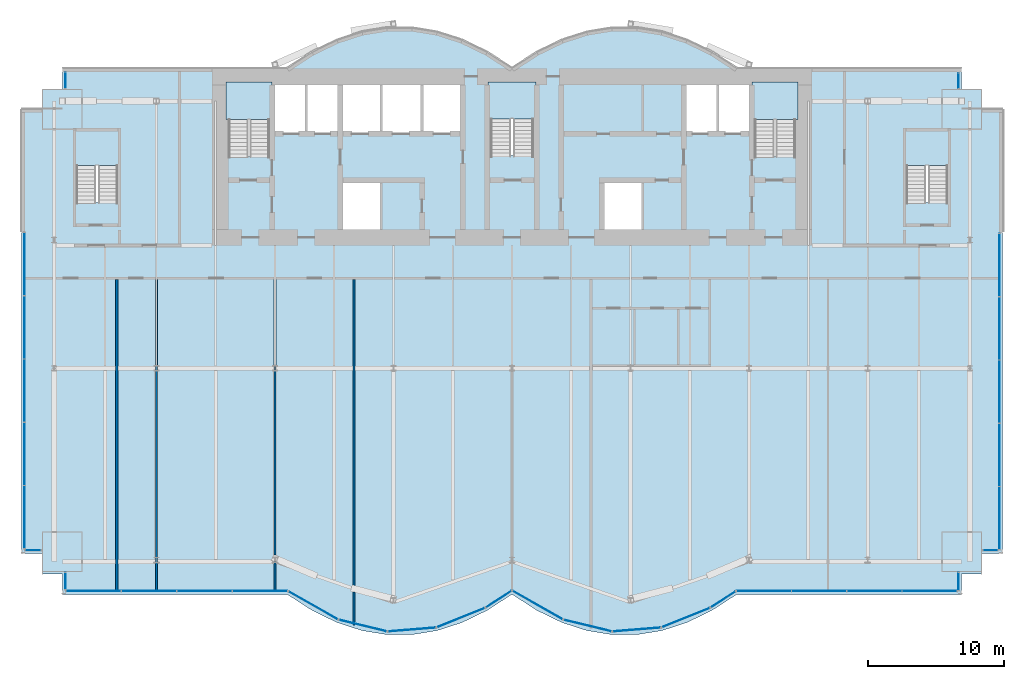
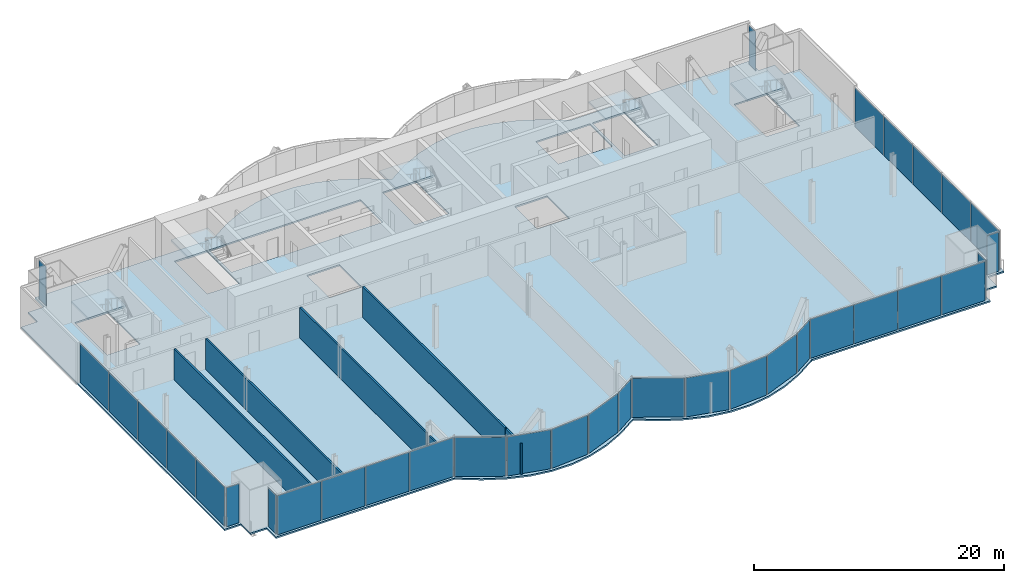
# One storey, part 14 of 21: 34 plates, 6 slabs, 6 walls, 17 elements without a shape of their own.
"""IFC4 building model written with IfcOpenShell, lengths in metres."""

from ifc_helpers import new_model, si_unit, direction, frame, frame_2d, origin, origin_2d, place, context, subcontext, project, spatial, polyline, rectangle, outline, extrude, material, layer, layer_set, type_object, element, aggregate, save


model = new_model("IFC4")

# Units and contexts
model_context = context("Model", 3, precision=1e-05, world=origin(), true_north=direction((0.0, 1.0)))
body_context = subcontext(model_context, "Body", "Model", "MODEL_VIEW")
ifc_project = project(units=[si_unit("LENGTHUNIT", "METRE"), si_unit("AREAUNIT", "SQUARE_METRE"), si_unit("VOLUMEUNIT", "CUBIC_METRE"), si_unit("PLANEANGLEUNIT", "RADIAN"), si_unit("MASSUNIT", "GRAM", prefix="KILO")], contexts=[model_context])

# Site, building, storey
site_placement = place(None, origin())
site = spatial("IfcSite", under=ifc_project, at=site_placement, CompositionType="ELEMENT")
building_placement = place(site_placement, origin())
building = spatial("IfcBuilding", under=site, at=building_placement, Name="Bicima Exchange Tower", CompositionType="ELEMENT")
storey_placement = place(building_placement, frame((0.0, 0.0, 98.10009765625)))
storey = spatial("IfcBuildingStorey", under=building, at=storey_placement, Name="L20", CompositionType="ELEMENT", Elevation=98.10009765625)

# Slab
ifc_material_1 = material(Name="Concrete C40/50", Category="concrete")
ifc_layer_1 = layer(ifc_material_1, 0.14990234375)
ifc_layer_set_1 = layer_set([ifc_layer_1], Name="Concrete C40/50")
slab_type_1 = type_object("IfcSlabType", Name="Composite floor slab 150", PredefinedType="FLOOR", material=ifc_layer_set_1)
slab_1_placement = place(storey_placement, frame((0.0, 0.0, -0.150146484375)))
element("IfcSlab", 1, at=slab_1_placement, inside=storey, type_object=slab_type_1, Name="Floor slab", PredefinedType="FLOOR", context=body_context, shape_type="SweptSolid", body=[
    extrude(outline(polyline([(-36.0, -35.583984375), (-36.0, -3.0), (-34.5, -3.0), (-34.5, -1.5), (-33.0, -1.5), (-33.0, 0.0), (-16.5, 0.0), (-14.666748046875, 1.185302734375), (-12.833251953125, 2.07421875), (-11.0, 2.666748046875), (-9.166748046875, 2.962890625), (-7.333251953125, 2.962890625), (-5.5, 2.666748046875), (-3.666748046875, 2.07421875), (-1.833251953125, 1.185302734375), (0.0, 0.0), (1.833251953125, 1.185302734375), (3.666748046875, 2.07421875), (5.5, 2.666748046875), (7.333251953125, 2.962890625), (9.166748046875, 2.962890625), (11.0, 2.666748046875), (12.833251953125, 2.07421875), (14.666748046875, 1.185302734375), (16.5, 0.0), (33.0, 0.0), (33.0, -1.5), (34.5, -1.5), (34.5, -3.0), (36.0, -3.0), (36.0, -35.583984375), (34.5, -35.583984375), (34.5, -37.083984375), (33.0, -37.083984375), (33.0, -38.583984375), (16.5, -38.583984375), (14.666748046875, -39.769287109375), (12.833251953125, -40.658203125), (11.0, -41.250732421875), (9.166748046875, -41.547119140625), (7.333251953125, -41.547119140625), (5.5, -41.250732421875), (3.666748046875, -40.658203125), (1.833251953125, -39.769287109375), (0.0, -38.583984375), (-1.833251953125, -39.769287109375), (-3.666748046875, -40.658203125), (-5.5, -41.250732421875), (-7.333251953125, -41.547119140625), (-9.166748046875, -41.547119140625), (-11.0, -41.250732421875), (-12.833251953125, -40.658203125), (-14.666748046875, -39.769287109375), (-16.5, -38.583984375), (-33.0, -38.583984375), (-33.0, -37.083984375), (-34.5, -37.083984375), (-34.5, -35.583984375), (-36.0, -35.583984375)]), holes=[polyline([(-9.60009765625, -11.800048828125), (-9.60009765625, -8.199951171875), (-12.60009765625, -8.199951171875), (-12.60009765625, -11.800048828125), (-9.60009765625, -11.800048828125)]), polyline([(-31.97509765625, -9.824951171875), (-28.925048828125, -9.824951171875), (-28.925048828125, -4.625), (-31.97509765625, -4.625), (-31.97509765625, -9.824951171875)]), polyline([(-20.800048828125, -6.449951171875), (-17.800048828125, -6.449951171875), (-17.800048828125, -1.199951171875), (-20.800048828125, -1.199951171875), (-20.800048828125, -6.449951171875)]), polyline([(-9.60009765625, -1.199951171875), (-12.60009765625, -1.199951171875), (-15.10009765625, -1.199951171875), (-17.60009765625, -1.199951171875), (-17.60009765625, -4.800048828125), (-15.10009765625, -4.800048828125), (-12.60009765625, -4.800048828125), (-9.60009765625, -4.800048828125), (-6.60009765625, -4.800048828125), (-3.60009765625, -4.800048828125), (-3.60009765625, -1.199951171875), (-6.60009765625, -1.199951171875), (-9.60009765625, -1.199951171875)]), polyline([(9.60009765625, -11.800048828125), (9.60009765625, -8.199951171875), (6.60009765625, -8.199951171875), (6.60009765625, -11.800048828125), (9.60009765625, -11.800048828125)]), polyline([(28.925048828125, -9.824951171875), (31.97509765625, -9.824951171875), (31.97509765625, -4.625), (28.925048828125, -4.625), (28.925048828125, -9.824951171875)]), polyline([(17.800048828125, -6.449951171875), (20.800048828125, -6.449951171875), (20.800048828125, -1.199951171875), (17.800048828125, -1.199951171875), (17.800048828125, -6.449951171875)]), polyline([(-1.574951171875, -6.39990234375), (1.574951171875, -6.39990234375), (1.574951171875, -1.199951171875), (-1.574951171875, -1.199951171875), (-1.574951171875, -6.39990234375)]), polyline([(17.60009765625, -4.800048828125), (17.60009765625, -1.199951171875), (15.10009765625, -1.199951171875), (12.60009765625, -1.199951171875), (12.60009765625, -4.800048828125), (15.10009765625, -4.800048828125), (17.60009765625, -4.800048828125)])]), origin(), (0.0, 0.0, 1.0), 0.150146484375),
])

# Curtain wall, plates
ifc_material_2 = material(Name="Anodised bronze aluminium", Category="aluminium")
curtain_wall_type_1 = type_object("IfcCurtainWallType", Name="End face glass wall", PredefinedType="NOTDEFINED", material=ifc_material_2)
curtain_wall_1_placement = place(storey_placement, origin())
curtain_wall_1 = element("IfcCurtainWall", 2, at=curtain_wall_1_placement, inside=storey, type_object=curtain_wall_type_1, Name="End face glass wall L20 run 2", PredefinedType="NOTDEFINED")
ifc_material_3 = material(Name="Bronze tinted glass", Category="glass")
ifc_layer_2 = layer(ifc_material_3, 0.031982421875)
ifc_layer_set_2 = layer_set([ifc_layer_2], Name="Bronze tinted glass")
plate_type_1 = type_object("IfcPlateType", Name="End face glass wall glass panel 32", PredefinedType="CURTAIN_PANEL", material=ifc_layer_set_2)
plate_1_placement = place(storey_placement, frame((-35.77001953125, -14.351318359375, -0.000244140625), z_axis=(0.0, 0.0, 1.0), x_axis=(0.0, -1.0, 0.0)))
plate_1 = element("IfcPlate", 3, at=plate_1_placement, type_object=plate_type_1, Name="End face glass wall panel 1.1", PredefinedType="CURTAIN_PANEL", context=body_context, shape_type="SweptSolid", body=[
    extrude(rectangle(XDim=4.582763671875, YDim=0.031982421875, at=origin_2d()), origin(), (0.0, 0.0, 1.0), 3.81005859375),
])
plate_2_placement = place(storey_placement, frame((-35.77001953125, -18.994140625, -0.000244140625), z_axis=(0.0, 0.0, 1.0), x_axis=(0.0, -1.0, 0.0)))
plate_2 = element("IfcPlate", 4, at=plate_2_placement, type_object=plate_type_1, Name="End face glass wall panel 2.1", PredefinedType="CURTAIN_PANEL", context=body_context, shape_type="SweptSolid", body=[
    extrude(rectangle(XDim=4.582763671875, YDim=0.031982421875, at=origin_2d()), origin(), (0.0, 0.0, 1.0), 3.81005859375),
])
plate_3_placement = place(storey_placement, frame((-35.77001953125, -23.636962890625, -0.000244140625), z_axis=(0.0, 0.0, 1.0), x_axis=(0.0, -1.0, 0.0)))
plate_3 = element("IfcPlate", 5, at=plate_3_placement, type_object=plate_type_1, Name="End face glass wall panel 3.1", PredefinedType="CURTAIN_PANEL", context=body_context, shape_type="SweptSolid", body=[
    extrude(rectangle(XDim=4.582763671875, YDim=0.031982421875, at=origin_2d()), origin(), (0.0, 0.0, 1.0), 3.81005859375),
])
plate_4_placement = place(storey_placement, frame((-35.77001953125, -32.922607421875, -0.000244140625), z_axis=(0.0, 0.0, 1.0), x_axis=(0.0, -1.0, 0.0)))
plate_4 = element("IfcPlate", 6, at=plate_4_placement, type_object=plate_type_1, Name="End face glass wall panel 5.1", PredefinedType="CURTAIN_PANEL", context=body_context, shape_type="SweptSolid", body=[
    extrude(rectangle(XDim=4.582763671875, YDim=0.031982421875, at=origin_2d()), origin(), (0.0, 0.0, 1.0), 3.81005859375),
])

curtain_wall_2_placement = place(storey_placement, origin())
curtain_wall_2 = element("IfcCurtainWall", 7, at=curtain_wall_2_placement, inside=storey, type_object=curtain_wall_type_1, Name="End face glass wall L20 run 19", PredefinedType="NOTDEFINED")
plate_5_placement = place(storey_placement, frame((35.77001953125, -33.002685546875, -0.000244140625), z_axis=(0.0, 0.0, 1.0), x_axis=(0.0, 1.0, 0.0)))
plate_5 = element("IfcPlate", 8, at=plate_5_placement, type_object=plate_type_1, Name="End face glass wall panel 1.1", PredefinedType="CURTAIN_PANEL", context=body_context, shape_type="SweptSolid", body=[
    extrude(rectangle(XDim=4.582763671875, YDim=0.031982421875, at=origin_2d()), origin(), (0.0, 0.0, 1.0), 3.81005859375),
])
plate_6_placement = place(storey_placement, frame((35.77001953125, -23.717041015625, -0.000244140625), z_axis=(0.0, 0.0, 1.0), x_axis=(0.0, 1.0, 0.0)))
plate_6 = element("IfcPlate", 9, at=plate_6_placement, type_object=plate_type_1, Name="End face glass wall panel 3.1", PredefinedType="CURTAIN_PANEL", context=body_context, shape_type="SweptSolid", body=[
    extrude(rectangle(XDim=4.582763671875, YDim=0.031982421875, at=origin_2d()), origin(), (0.0, 0.0, 1.0), 3.81005859375),
])
plate_7_placement = place(storey_placement, frame((35.77001953125, -19.07421875, -0.000244140625), z_axis=(0.0, 0.0, 1.0), x_axis=(0.0, 1.0, 0.0)))
plate_7 = element("IfcPlate", 10, at=plate_7_placement, type_object=plate_type_1, Name="End face glass wall panel 4.1", PredefinedType="CURTAIN_PANEL", context=body_context, shape_type="SweptSolid", body=[
    extrude(rectangle(XDim=4.582763671875, YDim=0.031982421875, at=origin_2d()), origin(), (0.0, 0.0, 1.0), 3.81005859375),
])
plate_8_placement = place(storey_placement, frame((35.77001953125, -14.431396484375, -0.000244140625), z_axis=(0.0, 0.0, 1.0), x_axis=(0.0, 1.0, 0.0)))
plate_8 = element("IfcPlate", 11, at=plate_8_placement, type_object=plate_type_1, Name="End face glass wall panel 5.1", PredefinedType="CURTAIN_PANEL", context=body_context, shape_type="SweptSolid", body=[
    extrude(rectangle(XDim=4.582763671875, YDim=0.031982421875, at=origin_2d()), origin(), (0.0, 0.0, 1.0), 3.81005859375),
])

# Plate
ifc_material_4 = material(Name="Bronze anodised aluminium", Category="aluminium")
ifc_layer_3 = layer(ifc_material_4, 0.031982421875)
ifc_layer_set_3 = layer_set([ifc_layer_3], Name="Bronze anodised aluminium")
plate_type_2 = type_object("IfcPlateType", Name="End face glass wall spandrel panel 32", PredefinedType="CURTAIN_PANEL", material=ifc_layer_set_3)
plate_9_placement = place(storey_placement, frame((-35.77001953125, -28.27978515625, -0.000244140625), z_axis=(0.0, 0.0, 1.0), x_axis=(0.0, -1.0, 0.0)))
plate_9 = element("IfcPlate", 12, at=plate_9_placement, type_object=plate_type_2, Name="End face spandrel wall panel 4.1", PredefinedType="CURTAIN_PANEL", context=body_context, shape_type="SweptSolid", body=[
    extrude(rectangle(XDim=4.582763671875, YDim=0.031982421875, at=origin_2d()), origin(), (0.0, 0.0, 1.0), 3.81005859375),
])

aggregate(curtain_wall_1, [plate_1, plate_2, plate_3, plate_9, plate_4])

plate_10_placement = place(storey_placement, frame((35.77001953125, -28.35986328125, -0.000244140625), z_axis=(0.0, 0.0, 1.0), x_axis=(0.0, 1.0, 0.0)))
plate_10 = element("IfcPlate", 13, at=plate_10_placement, type_object=plate_type_2, Name="End face spandrel wall panel 2.1", PredefinedType="CURTAIN_PANEL", context=body_context, shape_type="SweptSolid", body=[
    extrude(rectangle(XDim=4.582763671875, YDim=0.031982421875, at=origin_2d()), origin(), (0.0, 0.0, 1.0), 3.81005859375),
])

aggregate(curtain_wall_2, [plate_5, plate_10, plate_6, plate_7, plate_8])

# Curtain wall, plate
curtain_wall_type_2 = type_object("IfcCurtainWallType", Name="Front glass wall", PredefinedType="NOTDEFINED", material=ifc_material_2)
curtain_wall_3_placement = place(storey_placement, origin())
curtain_wall_3 = element("IfcCurtainWall", 14, at=curtain_wall_3_placement, inside=storey, type_object=curtain_wall_type_2, Name="Front glass wall L20 run 1", PredefinedType="NOTDEFINED")
ifc_layer_4 = layer(ifc_material_3, 0.031982421875)
ifc_layer_set_4 = layer_set([ifc_layer_4], Name="Bronze tinted glass")
plate_type_3 = type_object("IfcPlateType", Name="Front glass wall glass panel 32", PredefinedType="CURTAIN_PANEL", material=ifc_layer_set_4)
plate_11_placement = place(storey_placement, frame((-32.77001953125, -0.864990234375, -0.000244140625), z_axis=(0.0, 0.0, 1.0), x_axis=(0.0, -1.0, 0.0)))
plate_11 = element("IfcPlate", 15, at=plate_11_placement, type_object=plate_type_3, Name="Front glass wall panel 1.1", PredefinedType="CURTAIN_PANEL", context=body_context, shape_type="SweptSolid", body=[
    extrude(rectangle(XDim=1.14990234375, YDim=0.031982421875, at=origin_2d()), origin(), (0.0, 0.0, 1.0), 3.81005859375),
])
aggregate(curtain_wall_3, [plate_11])

curtain_wall_4_placement = place(storey_placement, origin())
curtain_wall_4 = element("IfcCurtainWall", 16, at=curtain_wall_4_placement, inside=storey, type_object=curtain_wall_type_2, Name="Front glass wall L20 run 3", PredefinedType="NOTDEFINED")
plate_12_placement = place(storey_placement, frame((-35.135009765625, -35.35400390625, -0.000244140625), z_axis=(0.0, 0.0, 1.0), x_axis=(1.0, 0.0, 0.0)))
plate_12 = element("IfcPlate", 17, at=plate_12_placement, type_object=plate_type_3, Name="Front glass wall panel 1.1", PredefinedType="CURTAIN_PANEL", context=body_context, shape_type="SweptSolid", body=[
    extrude(rectangle(XDim=1.14990234375, YDim=0.031982421875, at=origin_2d()), origin(), (0.0, 0.0, 1.0), 3.81005859375),
])
aggregate(curtain_wall_4, [plate_12])

curtain_wall_5_placement = place(storey_placement, origin())
curtain_wall_5 = element("IfcCurtainWall", 18, at=curtain_wall_5_placement, inside=storey, type_object=curtain_wall_type_2, Name="Front glass wall L20 run 4", PredefinedType="NOTDEFINED")
plate_13_placement = place(storey_placement, frame((-32.77001953125, -37.617919921875, -0.000244140625), z_axis=(0.0, 0.0, 1.0), x_axis=(0.0, -1.0, 0.0)))
plate_13 = element("IfcPlate", 19, at=plate_13_placement, type_object=plate_type_3, Name="Front glass wall panel 1.1", PredefinedType="CURTAIN_PANEL", context=body_context, shape_type="SweptSolid", body=[
    extrude(rectangle(XDim=1.19189453125, YDim=0.031982421875, at=origin_2d()), origin(), (0.0, 0.0, 1.0), 3.81005859375),
])
aggregate(curtain_wall_5, [plate_13])

# Curtain wall, plates
curtain_wall_6_placement = place(storey_placement, origin())
curtain_wall_6 = element("IfcCurtainWall", 20, at=curtain_wall_6_placement, inside=storey, type_object=curtain_wall_type_2, Name="Front glass wall L20 run 5", PredefinedType="NOTDEFINED")
plate_14_placement = place(storey_placement, frame((-30.705322265625, -38.35400390625, -0.000244140625), z_axis=(0.0, 0.0, 1.0), x_axis=(1.0, 0.0, 0.0)))
plate_14 = element("IfcPlate", 21, at=plate_14_placement, type_object=plate_type_3, Name="Front glass wall panel 1.1", PredefinedType="CURTAIN_PANEL", context=body_context, shape_type="SweptSolid", body=[
    extrude(rectangle(XDim=4.009521484375, YDim=0.031982421875, at=origin_2d()), origin(), (0.0, 0.0, 1.0), 3.81005859375),
])
plate_15_placement = place(storey_placement, frame((-18.496826171875, -38.35400390625, -0.000244140625), z_axis=(0.0, 0.0, 1.0), x_axis=(1.0, 0.0, 0.0)))
plate_15 = element("IfcPlate", 22, at=plate_15_placement, type_object=plate_type_3, Name="Front glass wall panel 4.1", PredefinedType="CURTAIN_PANEL", context=body_context, shape_type="SweptSolid", body=[
    extrude(rectangle(XDim=4.009521484375, YDim=0.031982421875, at=origin_2d()), origin(), (0.0, 0.0, 1.0), 3.81005859375),
])

curtain_wall_7_placement = place(storey_placement, origin())
curtain_wall_7 = element("IfcCurtainWall", 23, at=curtain_wall_7_placement, inside=storey, type_object=curtain_wall_type_2, Name="Front glass wall L20 run 6", PredefinedType="NOTDEFINED")
plate_16_placement = place(storey_placement, frame((-14.589599609375, -39.399169921875, -0.000244140625), z_axis=(0.0, 0.0, 1.0), x_axis=(0.869805110681, -0.493395449343, 0.0)))
plate_16 = element("IfcPlate", 24, at=plate_16_placement, type_object=plate_type_3, Name="Front glass wall panel 1.1", PredefinedType="CURTAIN_PANEL", context=body_context, shape_type="SweptSolid", body=[
    extrude(rectangle(XDim=4.1162109375, YDim=0.031982421875, at=origin_2d()), origin(), (0.0, 0.0, 1.0), 3.81005859375),
])
plate_17_placement = place(storey_placement, frame((-10.94775390625, -40.880615234375, -0.000244140625), z_axis=(0.0, 0.0, 1.0), x_axis=(0.971830343553, -0.235681529503, 0.0)))
plate_17 = element("IfcPlate", 25, at=plate_17_placement, type_object=plate_type_3, Name="Front glass wall panel 1.1", PredefinedType="CURTAIN_PANEL", context=body_context, shape_type="SweptSolid", body=[
    extrude(rectangle(XDim=3.583251953125, YDim=0.031982421875, at=origin_2d()), origin(), (0.0, 0.0, 1.0), 3.81005859375),
])
plate_18_placement = place(storey_placement, frame((-3.750244140625, -40.29736328125, -0.000244140625), z_axis=(0.0, 0.0, 1.0), x_axis=(0.92714396679, 0.374705304, 0.0)))
plate_18 = element("IfcPlate", 26, at=plate_18_placement, type_object=plate_type_3, Name="Front glass wall panel 1.1", PredefinedType="CURTAIN_PANEL", context=body_context, shape_type="SweptSolid", body=[
    extrude(rectangle(XDim=3.771240234375, YDim=0.031982421875, at=origin_2d()), origin(), (0.0, 0.0, 1.0), 3.81005859375),
])
plate_19_placement = place(storey_placement, frame((-0.97314453125, -38.939208984375, -0.000244140625), z_axis=(0.0, 0.0, 1.0), x_axis=(0.839798994301, 0.542897457326, 0.0)))
plate_19 = element("IfcPlate", 27, at=plate_19_placement, type_object=plate_type_3, Name="Front glass wall panel 1.1", PredefinedType="CURTAIN_PANEL", context=body_context, shape_type="SweptSolid", body=[
    extrude(rectangle(XDim=2.197509765625, YDim=0.031982421875, at=origin_2d()), origin(), (0.0, 0.0, 1.0), 3.81005859375),
])

curtain_wall_8_placement = place(storey_placement, origin())
curtain_wall_8 = element("IfcCurtainWall", 28, at=curtain_wall_8_placement, inside=storey, type_object=curtain_wall_type_2, Name="Front glass wall L20 run 11", PredefinedType="NOTDEFINED")
plate_20_placement = place(storey_placement, frame((1.876220703125, -39.377197265625, -0.000244140625), z_axis=(0.0, 0.0, 1.0), x_axis=(0.869274147378, -0.494330311331, 0.0)))
plate_20 = element("IfcPlate", 29, at=plate_20_placement, type_object=plate_type_3, Name="Front glass wall panel 1.1", PredefinedType="CURTAIN_PANEL", context=body_context, shape_type="SweptSolid", body=[
    extrude(rectangle(XDim=4.197021484375, YDim=0.031982421875, at=origin_2d()), origin(), (0.0, 0.0, 1.0), 3.81005859375),
])
plate_21_placement = place(storey_placement, frame((12.749755859375, -40.29736328125, -0.000244140625), z_axis=(0.0, 0.0, 1.0), x_axis=(0.92714396679, 0.374705304, 0.0)))
plate_21 = element("IfcPlate", 30, at=plate_21_placement, type_object=plate_type_3, Name="Front glass wall panel 1.1", PredefinedType="CURTAIN_PANEL", context=body_context, shape_type="SweptSolid", body=[
    extrude(rectangle(XDim=3.771240234375, YDim=0.031982421875, at=origin_2d()), origin(), (0.0, 0.0, 1.0), 3.81005859375),
])
plate_22_placement = place(storey_placement, frame((15.492919921875, -38.961181640625, -0.000244140625), z_axis=(0.0, 0.0, 1.0), x_axis=(0.839791413941, 0.542909183079, 0.0)))
plate_22 = element("IfcPlate", 31, at=plate_22_placement, type_object=plate_type_3, Name="Front glass wall panel 1.1", PredefinedType="CURTAIN_PANEL", context=body_context, shape_type="SweptSolid", body=[
    extrude(rectangle(XDim=2.11669921875, YDim=0.031982421875, at=origin_2d()), origin(), (0.0, 0.0, 1.0), 3.81005859375),
])

curtain_wall_9_placement = place(storey_placement, origin())
curtain_wall_9 = element("IfcCurtainWall", 32, at=curtain_wall_9_placement, inside=storey, type_object=curtain_wall_type_2, Name="Front glass wall L20 run 16", PredefinedType="NOTDEFINED")
plate_23_placement = place(storey_placement, frame((18.48681640625, -38.35400390625, -0.000244140625), z_axis=(0.0, 0.0, 1.0), x_axis=(1.0, 0.0, 0.0)))
plate_23 = element("IfcPlate", 33, at=plate_23_placement, type_object=plate_type_3, Name="Front glass wall panel 1.1", PredefinedType="CURTAIN_PANEL", context=body_context, shape_type="SweptSolid", body=[
    extrude(rectangle(XDim=3.989501953125, YDim=0.031982421875, at=origin_2d()), origin(), (0.0, 0.0, 1.0), 3.81005859375),
])
plate_24_placement = place(storey_placement, frame((22.536376953125, -38.35400390625, -0.000244140625), z_axis=(0.0, 0.0, 1.0), x_axis=(1.0, 0.0, 0.0)))
plate_24 = element("IfcPlate", 34, at=plate_24_placement, type_object=plate_type_3, Name="Front glass wall panel 2.1", PredefinedType="CURTAIN_PANEL", context=body_context, shape_type="SweptSolid", body=[
    extrude(rectangle(XDim=3.989501953125, YDim=0.031982421875, at=origin_2d()), origin(), (0.0, 0.0, 1.0), 3.81005859375),
])
plate_25_placement = place(storey_placement, frame((30.63525390625, -38.35400390625, -0.000244140625), z_axis=(0.0, 0.0, 1.0), x_axis=(1.0, 0.0, 0.0)))
plate_25 = element("IfcPlate", 35, at=plate_25_placement, type_object=plate_type_3, Name="Front glass wall panel 4.1", PredefinedType="CURTAIN_PANEL", context=body_context, shape_type="SweptSolid", body=[
    extrude(rectangle(XDim=3.989501953125, YDim=0.031982421875, at=origin_2d()), origin(), (0.0, 0.0, 1.0), 3.81005859375),
])

# Curtain wall, plate
curtain_wall_10_placement = place(storey_placement, origin())
curtain_wall_10 = element("IfcCurtainWall", 36, at=curtain_wall_10_placement, inside=storey, type_object=curtain_wall_type_2, Name="Front glass wall L20 run 17", PredefinedType="NOTDEFINED")
plate_26_placement = place(storey_placement, frame((32.77001953125, -37.657958984375, -0.000244140625), z_axis=(0.0, 0.0, 1.0), x_axis=(0.0, 1.0, 0.0)))
plate_26 = element("IfcPlate", 37, at=plate_26_placement, type_object=plate_type_3, Name="Front glass wall panel 1.1", PredefinedType="CURTAIN_PANEL", context=body_context, shape_type="SweptSolid", body=[
    extrude(rectangle(XDim=1.27197265625, YDim=0.031982421875, at=origin_2d()), origin(), (0.0, 0.0, 1.0), 3.81005859375),
])
aggregate(curtain_wall_10, [plate_26])

curtain_wall_11_placement = place(storey_placement, origin())
curtain_wall_11 = element("IfcCurtainWall", 38, at=curtain_wall_11_placement, inside=storey, type_object=curtain_wall_type_2, Name="Front glass wall L20 run 18", PredefinedType="NOTDEFINED")
plate_27_placement = place(storey_placement, frame((35.094970703125, -35.35400390625, -0.000244140625), z_axis=(0.0, 0.0, 1.0), x_axis=(1.0, 0.0, 0.0)))
plate_27 = element("IfcPlate", 39, at=plate_27_placement, type_object=plate_type_3, Name="Front glass wall panel 1.1", PredefinedType="CURTAIN_PANEL", context=body_context, shape_type="SweptSolid", body=[
    extrude(rectangle(XDim=1.070068359375, YDim=0.031982421875, at=origin_2d()), origin(), (0.0, 0.0, 1.0), 3.81005859375),
])
aggregate(curtain_wall_11, [plate_27])

curtain_wall_12_placement = place(storey_placement, origin())
curtain_wall_12 = element("IfcCurtainWall", 40, at=curtain_wall_12_placement, inside=storey, type_object=curtain_wall_type_2, Name="Front glass wall L20 run 20", PredefinedType="NOTDEFINED")
plate_28_placement = place(storey_placement, frame((32.77001953125, -0.905029296875, -0.000244140625), z_axis=(0.0, 0.0, 1.0), x_axis=(0.0, 1.0, 0.0)))
plate_28 = element("IfcPlate", 41, at=plate_28_placement, type_object=plate_type_3, Name="Front glass wall panel 1.1", PredefinedType="CURTAIN_PANEL", context=body_context, shape_type="SweptSolid", body=[
    extrude(rectangle(XDim=1.070068359375, YDim=0.031982421875, at=origin_2d()), origin(), (0.0, 0.0, 1.0), 3.81005859375),
])
aggregate(curtain_wall_12, [plate_28])

# Plate
ifc_layer_5 = layer(ifc_material_4, 0.031982421875)
ifc_layer_set_5 = layer_set([ifc_layer_5], Name="Bronze anodised aluminium")
plate_type_4 = type_object("IfcPlateType", Name="Front glass wall spandrel panel 32", PredefinedType="CURTAIN_PANEL", material=ifc_layer_set_5)
plate_29_placement = place(storey_placement, frame((-26.6357421875, -38.35400390625, -0.000244140625), z_axis=(0.0, 0.0, 1.0), x_axis=(1.0, 0.0, 0.0)))
plate_29 = element("IfcPlate", 42, at=plate_29_placement, type_object=plate_type_4, Name="Front spandrel wall panel 2.1", PredefinedType="CURTAIN_PANEL", context=body_context, shape_type="SweptSolid", body=[
    extrude(rectangle(XDim=4.009521484375, YDim=0.031982421875, at=origin_2d()), origin(), (0.0, 0.0, 1.0), 3.81005859375),
])

plate_30_placement = place(storey_placement, frame((-22.56640625, -38.35400390625, -0.000244140625), z_axis=(0.0, 0.0, 1.0), x_axis=(1.0, 0.0, 0.0)))
plate_30 = element("IfcPlate", 43, at=plate_30_placement, type_object=plate_type_4, Name="Front spandrel wall panel 3.1", PredefinedType="CURTAIN_PANEL", context=body_context, shape_type="SweptSolid", body=[
    extrude(rectangle(XDim=4.009521484375, YDim=0.031982421875, at=origin_2d()), origin(), (0.0, 0.0, 1.0), 3.81005859375),
])

aggregate(curtain_wall_6, [plate_14, plate_29, plate_30, plate_15])

plate_31_placement = place(storey_placement, frame((-7.35107421875, -41.171630859375, -0.000244140625), z_axis=(0.0, 0.0, 1.0), x_axis=(0.99674744821, 0.080588612633, 0.0)))
plate_31 = element("IfcPlate", 44, at=plate_31_placement, type_object=plate_type_4, Name="Front spandrel wall panel 1.1", PredefinedType="CURTAIN_PANEL", context=body_context, shape_type="SweptSolid", body=[
    extrude(rectangle(XDim=3.486083984375, YDim=0.031982421875, at=origin_2d()), origin(), (0.0, 0.0, 1.0), 3.81005859375),
])

aggregate(curtain_wall_7, [plate_16, plate_17, plate_31, plate_18, plate_19])

plate_32_placement = place(storey_placement, frame((5.55224609375, -40.880615234375, -0.000244140625), z_axis=(0.0, 0.0, 1.0), x_axis=(0.971830343553, -0.235681529503, 0.0)))
plate_32 = element("IfcPlate", 45, at=plate_32_placement, type_object=plate_type_4, Name="Front spandrel wall panel 1.1", PredefinedType="CURTAIN_PANEL", context=body_context, shape_type="SweptSolid", body=[
    extrude(rectangle(XDim=3.583251953125, YDim=0.031982421875, at=origin_2d()), origin(), (0.0, 0.0, 1.0), 3.81005859375),
])

plate_33_placement = place(storey_placement, frame((9.14892578125, -41.171630859375, -0.000244140625), z_axis=(0.0, 0.0, 1.0), x_axis=(0.99674744821, 0.080588612633, 0.0)))
plate_33 = element("IfcPlate", 46, at=plate_33_placement, type_object=plate_type_4, Name="Front spandrel wall panel 1.1", PredefinedType="CURTAIN_PANEL", context=body_context, shape_type="SweptSolid", body=[
    extrude(rectangle(XDim=3.486083984375, YDim=0.031982421875, at=origin_2d()), origin(), (0.0, 0.0, 1.0), 3.81005859375),
])

aggregate(curtain_wall_8, [plate_20, plate_32, plate_33, plate_21, plate_22])

plate_34_placement = place(storey_placement, frame((26.585693359375, -38.35400390625, -0.000244140625), z_axis=(0.0, 0.0, 1.0), x_axis=(1.0, 0.0, 0.0)))
plate_34 = element("IfcPlate", 47, at=plate_34_placement, type_object=plate_type_4, Name="Front spandrel wall panel 3.1", PredefinedType="CURTAIN_PANEL", context=body_context, shape_type="SweptSolid", body=[
    extrude(rectangle(XDim=3.989501953125, YDim=0.031982421875, at=origin_2d()), origin(), (0.0, 0.0, 1.0), 3.81005859375),
])

aggregate(curtain_wall_9, [plate_23, plate_24, plate_34, plate_25])

# Stair, slab
ifc_material_5 = material(Name="Concrete C50/60", Category="concrete")
stair_type_1 = type_object("IfcStairType", Name="Exit stair", PredefinedType="HALF_TURN_STAIR", material=ifc_material_5)
stair_1_placement = place(storey_placement, origin())
stair_1 = element("IfcStair", 48, at=stair_1_placement, inside=storey, type_object=stair_type_1, Name="L20 West exit stair", PredefinedType="HALF_TURN_STAIR")
ifc_layer_6 = layer(ifc_material_5, 0.199951171875)
ifc_layer_set_6 = layer_set([ifc_layer_6], Name="Concrete C50/60")
slab_type_2 = type_object("IfcSlabType", Name="Stair landing slab", PredefinedType="LANDING", material=ifc_layer_set_6)
slab_2_placement = place(storey_placement, frame((0.0, 0.0, 1.849853515625)))
slab_2 = element("IfcSlab", 49, at=slab_2_placement, type_object=slab_type_2, Name="ST-W landing 1", PredefinedType="LANDING", context=body_context, shape_type="SweptSolid", body=[
    extrude(outline(polyline([(-17.60009765625, -3.75), (-17.60009765625, -1.0), (-21.0, -1.0), (-21.0, -3.75), (-17.60009765625, -3.75)])), origin(), (0.0, 0.0, 1.0), 0.199951171875),
])
aggregate(stair_1, [slab_2])

stair_type_2 = type_object("IfcStairType", Name="Exit stair 1500", PredefinedType="HALF_TURN_STAIR", material=ifc_material_5)
stair_2_placement = place(storey_placement, origin())
stair_2 = element("IfcStair", 50, at=stair_2_placement, inside=storey, type_object=stair_type_2, Name="L20 Central exit stair", PredefinedType="HALF_TURN_STAIR")
slab_3_placement = place(storey_placement, frame((0.0, 0.0, 1.849853515625)))
slab_3 = element("IfcSlab", 51, at=slab_3_placement, type_object=slab_type_2, Name="ST-C landing 1", PredefinedType="LANDING", context=body_context, shape_type="SweptSolid", body=[
    extrude(outline(polyline([(1.77490234375, -3.699951171875), (1.77490234375, -1.0), (-1.77490234375, -1.0), (-1.77490234375, -3.699951171875), (1.77490234375, -3.699951171875)])), origin(), (0.0, 0.0, 1.0), 0.199951171875),
])
aggregate(stair_2, [slab_3])

stair_3_placement = place(storey_placement, origin())
stair_3 = element("IfcStair", 52, at=stair_3_placement, inside=storey, type_object=stair_type_1, Name="L20 East exit stair", PredefinedType="HALF_TURN_STAIR")
slab_4_placement = place(storey_placement, frame((0.0, 0.0, 1.849853515625)))
slab_4 = element("IfcSlab", 53, at=slab_4_placement, type_object=slab_type_2, Name="ST-E landing 1", PredefinedType="LANDING", context=body_context, shape_type="SweptSolid", body=[
    extrude(outline(polyline([(21.0, -3.75), (21.0, -1.0), (17.60009765625, -1.0), (17.60009765625, -3.75), (21.0, -3.75)])), origin(), (0.0, 0.0, 1.0), 0.199951171875),
])
aggregate(stair_3, [slab_4])

stair_4_placement = place(storey_placement, origin())
stair_4 = element("IfcStair", 54, at=stair_4_placement, inside=storey, type_object=stair_type_1, Name="L20 West end exit stair", PredefinedType="HALF_TURN_STAIR")
slab_5_placement = place(storey_placement, frame((0.0, 0.0, 1.849853515625)))
slab_5 = element("IfcSlab", 55, at=slab_5_placement, type_object=slab_type_2, Name="ST-WW landing 1", PredefinedType="LANDING", context=body_context, shape_type="SweptSolid", body=[
    extrude(outline(polyline([(-28.72509765625, -7.125), (-28.72509765625, -4.425048828125), (-32.175048828125, -4.425048828125), (-32.175048828125, -7.125), (-28.72509765625, -7.125)])), origin(), (0.0, 0.0, 1.0), 0.199951171875),
])
aggregate(stair_4, [slab_5])

stair_5_placement = place(storey_placement, origin())
stair_5 = element("IfcStair", 56, at=stair_5_placement, inside=storey, type_object=stair_type_1, Name="L20 East end exit stair", PredefinedType="HALF_TURN_STAIR")
slab_6_placement = place(storey_placement, frame((0.0, 0.0, 1.849853515625)))
slab_6 = element("IfcSlab", 57, at=slab_6_placement, type_object=slab_type_2, Name="ST-EE landing 1", PredefinedType="LANDING", context=body_context, shape_type="SweptSolid", body=[
    extrude(outline(polyline([(32.175048828125, -7.125), (32.175048828125, -4.425048828125), (28.72509765625, -4.425048828125), (28.72509765625, -7.125), (32.175048828125, -7.125)])), origin(), (0.0, 0.0, 1.0), 0.199951171875),
])
aggregate(stair_5, [slab_6])

# Walls
ifc_material_6 = material(Name="Gypsum board partition")
ifc_layer_7 = layer(ifc_material_6, 0.14990234375)
ifc_layer_set_7 = layer_set([ifc_layer_7], Name="Gypsum board partition")
wall_type = type_object("IfcWallType", Name="Gypsum partition 150", PredefinedType="PARTITIONING", material=ifc_layer_set_7)
for number, where, z_axis, x_axis, name in (
    (58, (-29.0, -38.3701171875, 0.0), (0.0, 0.0, 1.0), (0.0, 1.0, 0.0), "partition wall 13"),
    (59, (-26.10009765625, -38.3701171875, 0.0), (0.0, 0.0, 1.0), (0.0, 1.0, 0.0), "partition wall 15"),
):
    element("IfcWall", number, at=place(storey_placement, frame(where, z_axis=z_axis, x_axis=x_axis)), inside=storey, type_object=wall_type, Name=name, PredefinedType="PARTITIONING", context=body_context, shape_type="SweptSolid", body=[
        extrude(rectangle(XDim=22.8701171875, YDim=0.14990234375, at=frame_2d((11.43505859375, 0.0))), origin(), (0.0, 0.0, 1.0), 3.01806640625),
    ])
wall_1_placement = place(storey_placement, frame((-17.39990234375, -38.3701171875, 0.0), z_axis=(0.0, 0.0, 1.0), x_axis=(0.0, 1.0, 0.0)))
element("IfcWall", 60, at=wall_1_placement, inside=storey, type_object=wall_type, Name="partition wall 17", PredefinedType="PARTITIONING", context=body_context, shape_type="SweptSolid", body=[
    extrude(rectangle(XDim=2.184326171875, YDim=0.14990234375, at=frame_2d((1.09228515625, 0.0))), origin(), (0.0, 0.0, 1.0), 3.01806640625),
])
wall_2_placement = place(storey_placement, frame((-17.39990234375, -35.694091796875, 0.0), z_axis=(0.0, 0.0, 1.0), x_axis=(0.0, 1.0, 0.0)))
element("IfcWall", 61, at=wall_2_placement, inside=storey, type_object=wall_type, Name="partition wall 18", PredefinedType="PARTITIONING", context=body_context, shape_type="SweptSolid", body=[
    extrude(rectangle(XDim=20.194091796875, YDim=0.14990234375, at=frame_2d((10.09716796875, 0.0))), origin(), (0.0, 0.0, 1.0), 3.01806640625),
])
wall_3_placement = place(storey_placement, frame((-11.60009765625, -40.840087890625, 0.0), z_axis=(0.0, 0.0, 1.0), x_axis=(0.0, 1.0, 0.0)))
element("IfcWall", 62, at=wall_3_placement, inside=storey, type_object=wall_type, Name="partition wall 19", PredefinedType="PARTITIONING", context=body_context, shape_type="SweptSolid", body=[
    extrude(rectangle(XDim=2.426025390625, YDim=0.14990234375, at=frame_2d((1.212890625, 0.0))), origin(), (0.0, 0.0, 1.0), 3.01806640625),
])
wall_4_placement = place(storey_placement, frame((-11.60009765625, -38.27099609375, 0.0), z_axis=(0.0, 0.0, 1.0), x_axis=(0.0, 1.0, 0.0)))
element("IfcWall", 63, at=wall_4_placement, inside=storey, type_object=wall_type, Name="partition wall 20", PredefinedType="PARTITIONING", context=body_context, shape_type="SweptSolid", body=[
    extrude(rectangle(XDim=22.77099609375, YDim=0.14990234375, at=frame_2d((11.385498046875, 0.0))), origin(), (0.0, 0.0, 1.0), 3.01806640625),
])

save(model, "model.ifc")
